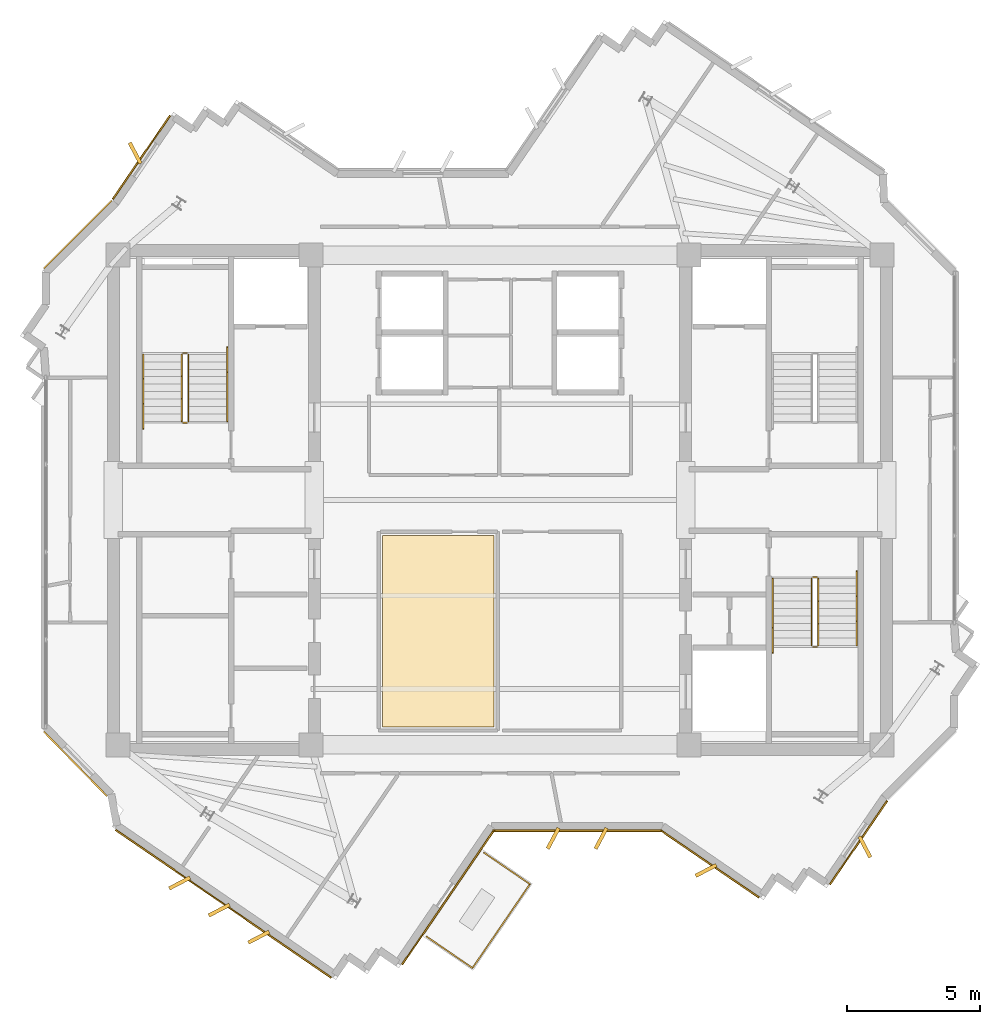
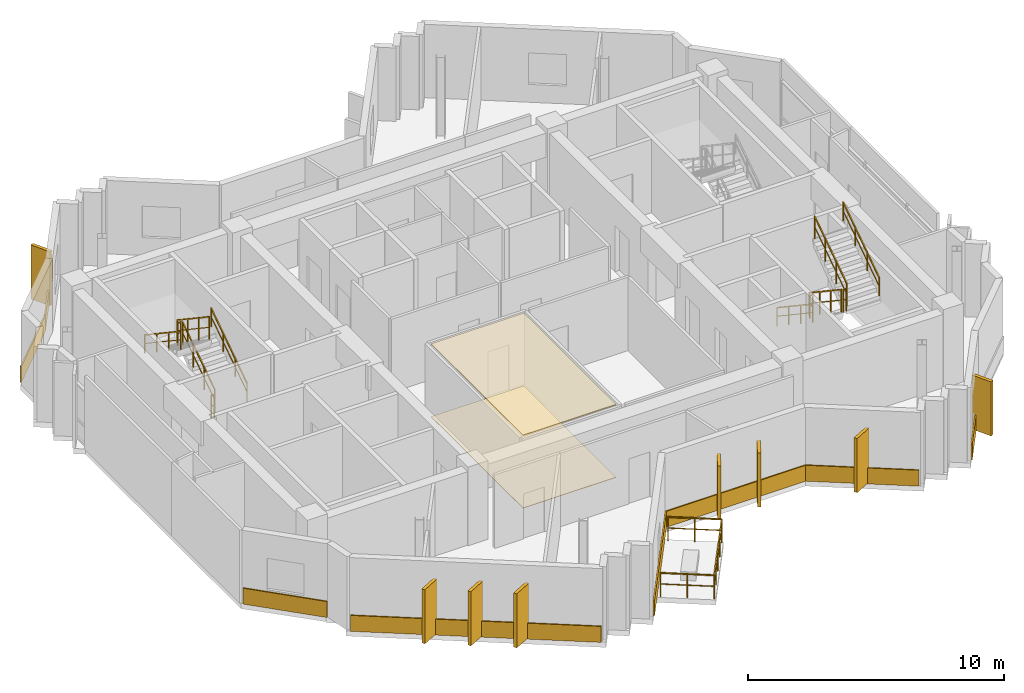
# One storey, part 10 of 11: 18 coverings, 15 railings.
"""IFC4 building model written with IfcOpenShell, lengths in metres."""

import ifcopenshell
import ifcopenshell.guid

model = None  # the IFC model being written
_history = None  # IfcOwnerHistory: only IFC2X3 demands one
_inside = {}  # id of a spatial element -> (the spatial element, [elements in it])
_under = {}  # id of a project, library or spatial element -> (it, [spatial elements below it])
_declared = {}  # id of a project -> (the project, [libraries it declares])
_typed = {}  # id of a type object -> (the type object, [elements of that type])
_made_of = {}  # id of a material, layer set ... -> (it, [elements and type objects made of it])


def new_model(schema):
    """Start an empty IFC model of exactly this schema.

    Asked for "IFC4X3", IfcOpenShell would pick the latest addendum, in which some entities
    have other attributes; the version numbers below select the first issue.
    IFC2X3 requires an IfcOwnerHistory on every rooted entity: one is made here for all.
    """
    global model, _history
    if schema == "IFC4X3":
        model = ifcopenshell.file(schema_version=(4, 3, 0, 0))
    else:
        model = ifcopenshell.file(schema=schema)
    _inside.clear()
    _under.clear()
    _declared.clear()
    _typed.clear()
    _made_of.clear()
    _history = None
    if model.schema == "IFC2X3":
        org = make("IfcOrganization", Name="unknown")
        user = make(
            "IfcPersonAndOrganization",
            ThePerson=make("IfcPerson", FamilyName="unknown"),
            TheOrganization=org,
        )
        app = make(
            "IfcApplication",
            ApplicationDeveloper=org,
            Version="unknown",
            ApplicationFullName="unknown",
            ApplicationIdentifier="unknown",
        )
        _history = make(
            "IfcOwnerHistory",
            OwningUser=user,
            OwningApplication=app,
            ChangeAction="ADDED",
            CreationDate=0,
        )
    return model


def make(cls, **values):
    """One entity of the class cls with the attributes given. An attribute that is None is left unset."""
    return model.create_entity(
        cls, **{name: value for name, value in values.items() if value is not None}
    )


def rooted(cls, **values):
    """An entity with a GlobalId (a new one), such as an element, a storey or a relation."""
    return make(cls, GlobalId=ifcopenshell.guid.new(), OwnerHistory=_history, **values)


def si_unit(unit_type, name, prefix=None):
    """IfcSIUnit, for example si_unit("LENGTHUNIT", "METRE", prefix="MILLI")."""
    return make("IfcSIUnit", UnitType=unit_type, Prefix=prefix, Name=name)


def assignment(units):
    """IfcUnitAssignment: the units of a project."""
    return None if units is None else make("IfcUnitAssignment", Units=units)


def point(xyz):
    """IfcCartesianPoint."""
    return None if xyz is None else make("IfcCartesianPoint", Coordinates=xyz)


def direction(xyz):
    """IfcDirection."""
    return None if xyz is None else make("IfcDirection", DirectionRatios=xyz)


def frame(location, z_axis=None, x_axis=None):
    """IfcAxis2Placement3D, a coordinate frame: its origin and axes. An axis left out is left unset."""
    return make(
        "IfcAxis2Placement3D",
        Location=point(location),
        Axis=direction(z_axis),
        RefDirection=direction(x_axis),
    )


def frame_2d(location, x_axis=None):
    """IfcAxis2Placement2D, a coordinate frame in the plane: its origin and x axis."""
    return make(
        "IfcAxis2Placement2D", Location=point(location), RefDirection=direction(x_axis)
    )


def origin():
    """The frame at (0, 0, 0) with its axes left unset."""
    return frame((0.0, 0.0, 0.0))


def origin_2d():
    """The frame at (0, 0) in the plane with its x axis left unset."""
    return frame_2d((0.0, 0.0))


def place(relative_to, where):
    """IfcLocalPlacement: puts the frame where relative to a parent placement (None: the world)."""
    return make(
        "IfcLocalPlacement", PlacementRelTo=relative_to, RelativePlacement=where
    )


def context(
    kind, dimensions, precision=None, world=None, true_north=None, identifier=None
):
    """IfcGeometricRepresentationContext, for example the 3D "Model" context."""
    return make(
        "IfcGeometricRepresentationContext",
        ContextIdentifier=identifier,
        ContextType=kind,
        CoordinateSpaceDimension=dimensions,
        Precision=precision,
        WorldCoordinateSystem=world,
        TrueNorth=true_north,
    )


def subcontext(parent, identifier, kind, view, scale=None):
    """IfcGeometricRepresentationSubContext, for example "Body" below "Model"."""
    return make(
        "IfcGeometricRepresentationSubContext",
        ContextIdentifier=identifier,
        ContextType=kind,
        ParentContext=parent,
        TargetScale=scale,
        TargetView=view,
    )


def project(units=None, contexts=None):
    """IfcProject with its units and contexts."""
    return rooted(
        "IfcProject",
        Name="project",
        RepresentationContexts=contexts,
        UnitsInContext=assignment(units),
    )


def spatial(cls, under=None, at=None, **own):
    """A site, building, storey or space (cls), placed at a placement, below another one or the project."""
    s = rooted(cls, ObjectPlacement=at, **own)
    if under is not None:
        _under.setdefault(under.id(), (under, []))[1].append(s)
    return s


def polyline(points):
    """IfcPolyline through the points."""
    return make("IfcPolyline", Points=[point(p) for p in points])


def profile(cls, at=None, kind="AREA", **sizes):
    """A parametric profile (cls). Its sizes go by their IFC names, for example OverallWidth=200.0."""
    return make(cls, ProfileType=kind, Position=at, **sizes)


def rectangle(**sizes):
    """IfcRectangleProfileDef."""
    return profile("IfcRectangleProfileDef", **sizes)


def outline(outer, holes=None, kind="AREA"):
    """IfcArbitraryClosedProfileDef: a profile drawn as a closed curve; with holes, ...WithVoids."""
    if holes is None:
        return make("IfcArbitraryClosedProfileDef", ProfileType=kind, OuterCurve=outer)
    return make(
        "IfcArbitraryProfileDefWithVoids",
        ProfileType=kind,
        OuterCurve=outer,
        InnerCurves=holes,
    )


def extrude(swept, where, along, depth):
    """IfcExtrudedAreaSolid: the profile swept, set in the frame where, extruded along a direction by depth."""
    return make(
        "IfcExtrudedAreaSolid",
        SweptArea=swept,
        Position=where,
        ExtrudedDirection=direction(along),
        Depth=depth,
    )


def shape(context_of_items, identifier, shape_type, items):
    """IfcShapeRepresentation: the items that make up one representation, for example the "Body"."""
    return make(
        "IfcShapeRepresentation",
        ContextOfItems=context_of_items,
        RepresentationIdentifier=identifier,
        RepresentationType=shape_type,
        Items=items,
    )


def source(mapping_origin, context_of_items, identifier, shape_type, items):
    """IfcRepresentationMap: a shape defined once, which mapped items show again and again."""
    return make(
        "IfcRepresentationMap",
        MappingOrigin=mapping_origin,
        MappedRepresentation=shape(context_of_items, identifier, shape_type, items),
    )


def transform(
    local_origin,
    x_axis=None,
    y_axis=None,
    z_axis=None,
    scale=None,
    scale2=None,
    scale3=None,
    uniform=True,
):
    """IfcCartesianTransformationOperator3D, or its non-uniform kind. x_axis, y_axis, z_axis: its Axis1, 2, 3."""
    if uniform:
        return make(
            "IfcCartesianTransformationOperator3D",
            Axis1=direction(x_axis),
            Axis2=direction(y_axis),
            LocalOrigin=point(local_origin),
            Scale=scale,
            Axis3=direction(z_axis),
        )
    return make(
        "IfcCartesianTransformationOperator3DnonUniform",
        Axis1=direction(x_axis),
        Axis2=direction(y_axis),
        LocalOrigin=point(local_origin),
        Scale=scale,
        Axis3=direction(z_axis),
        Scale2=scale2,
        Scale3=scale3,
    )


def mapped(mapping_source, mapping_target):
    """IfcMappedItem: shows the shape of a source again, moved by a transform."""
    return make(
        "IfcMappedItem", MappingSource=mapping_source, MappingTarget=mapping_target
    )


def material(Name=None, Category=None):
    """IfcMaterial."""
    return make("IfcMaterial", Name=Name, Category=Category)


def layer(
    of_material, thickness, ventilated=None, Name=None, Category=None, Priority=None
):
    """IfcMaterialLayer: one layer of a wall or slab, of a material (None: an air gap)."""
    return make(
        "IfcMaterialLayer",
        Material=of_material,
        LayerThickness=thickness,
        IsVentilated=ventilated,
        Name=Name,
        Category=Category,
        Priority=Priority,
    )


def layer_set(layers, Name=None):
    """IfcMaterialLayerSet."""
    return make("IfcMaterialLayerSet", MaterialLayers=layers, LayerSetName=Name)


def made_of(thing, what):
    """Note that an element or type object is made of a material, layer set ...; save() writes the relation."""
    if what is not None:
        _made_of.setdefault(what.id(), (what, []))[1].append(thing)
    return thing


def type_object(cls, material=None, **own):
    """A type object (cls), such as IfcWallType, which elements share."""
    return made_of(rooted(cls, **own), material)


def element(
    cls,
    number,
    at=None,
    inside=None,
    cuts=None,
    type_object=None,
    material=None,
    context=None,
    identifier="Body",
    shape_type=None,
    held_by="IfcProductDefinitionShape",
    body=None,
    shapes=None,
    **own,
):
    """One element of the class cls, such as IfcWall. Its Tag is "e" and its number.

    at: its placement. inside: the storey or other place that contains it. cuts: it is an
    opening in that element (IfcRelVoidsElement). A single representation is given by context,
    identifier, shape_type and body (its items); several are given by shapes. held_by: the class
    of the entity that holds the representations. save() writes the other relations.
    """
    e = rooted(cls, Tag="e%d" % number, ObjectPlacement=at, **own)
    if body is not None:
        shapes = [shape(context, identifier, shape_type, body)]
    if shapes is not None:
        e.Representation = make(held_by, Representations=shapes)
    if inside is not None:
        _inside.setdefault(inside.id(), (inside, []))[1].append(e)
    if cuts is not None:
        rooted(
            "IfcRelVoidsElement", RelatingBuildingElement=cuts, RelatedOpeningElement=e
        )
    if type_object is not None:
        _typed.setdefault(type_object.id(), (type_object, []))[1].append(e)
    return made_of(e, material)


def aggregate(whole, parts):
    """IfcRelAggregates: a whole, such as a stair, and the parts it consists of."""
    return rooted("IfcRelAggregates", RelatingObject=whole, RelatedObjects=parts)


def save(model, path):
    """Write the relations noted so far, then the file.

    IfcRelAggregates (storeys below a building ...), IfcRelContainedInSpatialStructure (elements
    in a storey), IfcRelDefinesByType, IfcRelAssociatesMaterial and IfcRelDeclares: one each for
    every whole, place, type object, material and project.
    """
    for whole, parts in _under.values():
        aggregate(whole, parts)
    for where, things in _inside.values():
        rooted(
            "IfcRelContainedInSpatialStructure",
            RelatedElements=things,
            RelatingStructure=where,
        )
    for kind, things in _typed.values():
        rooted("IfcRelDefinesByType", RelatedObjects=things, RelatingType=kind)
    for what, things in _made_of.values():
        rooted("IfcRelAssociatesMaterial", RelatedObjects=things, RelatingMaterial=what)
    for by, libraries in _declared.values():
        rooted("IfcRelDeclares", RelatingContext=by, RelatedDefinitions=libraries)
    model.write(path)


model = new_model("IFC4")

# Units and contexts
model_context = context("Model", 3, precision=1e-05, world=origin(), true_north=direction((0.0, 1.0)))
body_context = subcontext(model_context, "Body", "Model", "MODEL_VIEW")
ifc_project = project(units=[si_unit("LENGTHUNIT", "METRE"), si_unit("AREAUNIT", "SQUARE_METRE"), si_unit("VOLUMEUNIT", "CUBIC_METRE"), si_unit("PLANEANGLEUNIT", "RADIAN"), si_unit("MASSUNIT", "GRAM", prefix="KILO")], contexts=[model_context])

# Site, building, storey
site_placement = place(None, origin())
site = spatial("IfcSite", under=ifc_project, at=site_placement, CompositionType="ELEMENT")
building_placement = place(site_placement, origin())
building = spatial("IfcBuilding", under=site, at=building_placement, Name="Zahravan Cultural Tower", CompositionType="ELEMENT")
storey_placement = place(building_placement, frame((0.0, 0.0, 334.800048828125)))
storey = spatial("IfcBuildingStorey", under=building, at=storey_placement, Name="L81", CompositionType="ELEMENT", Elevation=334.800048828125)

# Coverings
ifc_material_1 = material(Name="Acoustic mineral fibreboard")
ifc_layer_1 = layer(ifc_material_1, 0.0400390625)
ifc_layer_set_1 = layer_set([ifc_layer_1], Name="Acoustic mineral fibreboard")
covering_type_1 = type_object("IfcCoveringType", Name="COV-CEIL-AC20", PredefinedType="CEILING", material=ifc_layer_set_1)
covering_1_placement = place(storey_placement, frame((0.0, 0.0, 3.4599609375)))
element("IfcCovering", 1, at=covering_1_placement, inside=storey, type_object=covering_type_1, Name="L81 Acoustic Suspended Ceiling", PredefinedType="CEILING", context=body_context, shape_type="SweptSolid", body=[
    extrude(outline(polyline([(35.77001953125, 25.669921875), (31.580078125, 25.669921875), (31.580078125, 18.47998046875), (35.77001953125, 18.47998046875), (35.77001953125, 25.669921875)])), origin(), (0.0, 0.0, 1.0), 0.0400390625),
])
ifc_material_2 = material(Name="Terrazzo flooring")
ifc_layer_2 = layer(ifc_material_2, 0.02490234375)
ifc_layer_set_2 = layer_set([ifc_layer_2], Name="Terrazzo flooring")
covering_type_2 = type_object("IfcCoveringType", Name="COV-FLR-TZ25", PredefinedType="FLOORING", material=ifc_layer_set_2)
covering_2_placement = place(storey_placement, origin())
element("IfcCovering", 2, at=covering_2_placement, inside=storey, type_object=covering_type_2, Name="L81 Polished Terrazzo Flooring", PredefinedType="FLOORING", context=body_context, shape_type="SweptSolid", body=[
    extrude(outline(polyline([(35.77001953125, 25.669921875), (31.580078125, 25.669921875), (31.580078125, 18.47998046875), (35.77001953125, 18.47998046875), (35.77001953125, 25.669921875)])), origin(), (0.0, 0.0, 1.0), 0.02490234375),
])

# Railings
ifc_material_3 = material(Name="Steel ASTM A572 Grade 50", Category="steel")
railing_type_1 = type_object("IfcRailingType", Name="RL-BAL-1150", PredefinedType="BALUSTRADE", material=ifc_material_3)
railing_1_placement = place(storey_placement, frame((37.125, 12.571044921875, 0.0)))
element("IfcRailing", 3, at=railing_1_placement, inside=storey, type_object=railing_type_1, Name="L81 Edge Balustrade GRD-TR-L81-SW-01", PredefinedType="BALUSTRADE", context=body_context, shape_type="SweptSolid", body=[
    extrude(rectangle(XDim=0.05, YDim=0.05, at=origin_2d()), frame((0.0, 0.0, 1.125), z_axis=(-0.564981732672, -0.825103412759, 0.0), x_axis=(0.825103412759, -0.564981732672, 0.0)), (0.0, 0.0, 1.0), 3.820068359375),
    extrude(rectangle(XDim=0.032, YDim=0.032, at=origin_2d()), frame((0.0, 0.0, 0.597900390625), z_axis=(-0.564981732672, -0.825103412759, 0.0), x_axis=(0.825103412759, -0.564981732672, 0.0)), (0.0, 0.0, 1.0), 3.820068359375),
    extrude(rectangle(XDim=0.04, YDim=0.04, at=origin_2d()), origin(), (0.0, 0.0, 1.0), 1.14990234375),
    extrude(rectangle(XDim=0.04, YDim=0.04, at=origin_2d()), frame((-0.53955078125, -0.7880859375, 0.0)), (0.0, 0.0, 1.0), 1.14990234375),
    extrude(rectangle(XDim=0.04, YDim=0.04, at=origin_2d()), frame((-1.0791015625, -1.575927734375, 0.0)), (0.0, 0.0, 1.0), 1.14990234375),
    extrude(rectangle(XDim=0.04, YDim=0.04, at=origin_2d()), frame((-1.61865234375, -2.36376953125, 0.0)), (0.0, 0.0, 1.0), 1.14990234375),
    extrude(rectangle(XDim=0.04, YDim=0.04, at=origin_2d()), frame((-2.158203125, -3.15185546875, 0.0)), (0.0, 0.0, 1.0), 1.14990234375),
])
railing_2_placement = place(storey_placement, frame((34.966796875, 9.419189453125, 0.0)))
element("IfcRailing", 4, at=railing_2_placement, inside=storey, type_object=railing_type_1, Name="L81 Edge Balustrade GRD-TR-L81-SW-02", PredefinedType="BALUSTRADE", context=body_context, shape_type="SweptSolid", body=[
    extrude(rectangle(XDim=0.05, YDim=0.05, at=origin_2d()), frame((0.0, 0.0, 1.125), z_axis=(-0.825119027376, 0.564958928296, 0.0), x_axis=(-0.564958928296, -0.825119027376, 0.0)), (0.0, 0.0, 1.0), 2.10009765625),
    extrude(rectangle(XDim=0.032, YDim=0.032, at=origin_2d()), frame((0.0, 0.0, 0.597900390625), z_axis=(-0.825119027376, 0.564958928296, 0.0), x_axis=(-0.564958928296, -0.825119027376, 0.0)), (0.0, 0.0, 1.0), 2.10009765625),
    extrude(rectangle(XDim=0.04, YDim=0.04, at=origin_2d()), origin(), (0.0, 0.0, 1.0), 1.14990234375),
    extrude(rectangle(XDim=0.04, YDim=0.04, at=origin_2d()), frame((-0.866455078125, 0.59326171875, 0.0)), (0.0, 0.0, 1.0), 1.14990234375),
    extrude(rectangle(XDim=0.04, YDim=0.04, at=origin_2d()), frame((-1.73291015625, 1.1865234375, 0.0)), (0.0, 0.0, 1.0), 1.14990234375),
])
railing_3_placement = place(storey_placement, frame((35.39208984375, 13.757568359375, 0.0)))
element("IfcRailing", 5, at=railing_3_placement, inside=storey, type_object=railing_type_1, Name="L81 Edge Balustrade GRD-TR-L81-SW-03", PredefinedType="BALUSTRADE", context=body_context, shape_type="SweptSolid", body=[
    extrude(rectangle(XDim=0.05, YDim=0.05, at=origin_2d()), frame((0.0, 0.0, 1.125), z_axis=(0.825119027376, -0.564958928296, 0.0), x_axis=(0.564958928296, 0.825119027376, 0.0)), (0.0, 0.0, 1.0), 2.10009765625),
    extrude(rectangle(XDim=0.032, YDim=0.032, at=origin_2d()), frame((0.0, 0.0, 0.597900390625), z_axis=(0.825119027376, -0.564958928296, 0.0), x_axis=(0.564958928296, 0.825119027376, 0.0)), (0.0, 0.0, 1.0), 2.10009765625),
    extrude(rectangle(XDim=0.04, YDim=0.04, at=origin_2d()), origin(), (0.0, 0.0, 1.0), 1.14990234375),
    extrude(rectangle(XDim=0.04, YDim=0.04, at=origin_2d()), frame((0.866455078125, -0.59326171875, 0.0)), (0.0, 0.0, 1.0), 1.14990234375),
    extrude(rectangle(XDim=0.04, YDim=0.04, at=origin_2d()), frame((1.73291015625, -1.1865234375, 0.0)), (0.0, 0.0, 1.0), 1.14990234375),
])
railing_type_2 = type_object("IfcRailingType", Name="RL-STAIR-GRD1150", PredefinedType="BALUSTRADE", material=ifc_material_3)
railing_4_placement = place(storey_placement, frame((24.300048828125, 29.949951171875, 0.1875)))
element("IfcRailing", 6, at=railing_4_placement, inside=storey, type_object=railing_type_2, Name="L81 ST-W1 stair guard 1", PredefinedType="BALUSTRADE", context=body_context, shape_type="SweptSolid", body=[
    extrude(rectangle(XDim=0.05, YDim=0.05, at=origin_2d()), frame((0.0, 0.0, 1.0751953125), z_axis=(0.0, 0.830909170722, 0.55640807867), x_axis=(-1.0, 0.0, 0.0)), (0.0, 0.0, 1.0), 3.032958984375),
    extrude(rectangle(XDim=0.032, YDim=0.032, at=origin_2d()), frame((0.0, 0.0, 0.572021484375), z_axis=(0.0, 0.830909170722, 0.55640807867), x_axis=(-1.0, 0.0, 0.0)), (0.0, 0.0, 1.0), 3.032958984375),
    extrude(rectangle(XDim=0.04, YDim=0.04, at=origin_2d()), origin(), (0.0, 0.0, 1.0), 1.10009765625),
    extrude(rectangle(XDim=0.04, YDim=0.04, at=origin_2d()), frame((0.0, 0.840087890625, 0.5625)), (0.0, 0.0, 1.0), 1.10009765625),
    extrude(rectangle(XDim=0.04, YDim=0.04, at=origin_2d()), frame((0.0, 1.679931640625, 1.125)), (0.0, 0.0, 1.0), 1.10009765625),
    extrude(rectangle(XDim=0.04, YDim=0.04, at=origin_2d()), frame((0.0, 2.52001953125, 1.6875)), (0.0, 0.0, 1.0), 1.10009765625),
])
railing_5_placement = place(storey_placement, frame((24.25, 32.52001953125, 1.875)))
element("IfcRailing", 7, at=railing_5_placement, inside=storey, type_object=railing_type_2, Name="L81 ST-W1 stair guard 2", PredefinedType="BALUSTRADE", context=body_context, shape_type="SweptSolid", body=[
    extrude(rectangle(XDim=0.05, YDim=0.05, at=origin_2d()), frame((0.0, 0.0, 1.0751953125), z_axis=(-1.0, 0.0, 0.0), x_axis=(0.0, -1.0, 0.0)), (0.0, 0.0, 1.0), 0.14990234375),
    extrude(rectangle(XDim=0.032, YDim=0.032, at=origin_2d()), frame((0.0, 0.0, 0.572021484375), z_axis=(-1.0, 0.0, 0.0), x_axis=(0.0, -1.0, 0.0)), (0.0, 0.0, 1.0), 0.14990234375),
    extrude(rectangle(XDim=0.04, YDim=0.04, at=origin_2d()), origin(), (0.0, 0.0, 1.0), 1.10009765625),
    extrude(rectangle(XDim=0.04, YDim=0.04, at=origin_2d()), frame((-0.14990234375, 0.0, 0.0)), (0.0, 0.0, 1.0), 1.10009765625),
])
railing_6_placement = place(storey_placement, frame((24.050048828125, 32.469970703125, 2.0625)))
element("IfcRailing", 8, at=railing_6_placement, inside=storey, type_object=railing_type_2, Name="L81 ST-W1 stair guard 3", PredefinedType="BALUSTRADE", context=body_context, shape_type="SweptSolid", body=[
    extrude(rectangle(XDim=0.05, YDim=0.05, at=origin_2d()), frame((0.0, 0.0, 1.0751953125), z_axis=(0.0, -0.830909170722, 0.55640807867), x_axis=(1.0, 0.0, 0.0)), (0.0, 0.0, 1.0), 3.032958984375),
    extrude(rectangle(XDim=0.032, YDim=0.032, at=origin_2d()), frame((0.0, 0.0, 0.572021484375), z_axis=(0.0, -0.830909170722, 0.55640807867), x_axis=(1.0, 0.0, 0.0)), (0.0, 0.0, 1.0), 3.032958984375),
    extrude(rectangle(XDim=0.04, YDim=0.04, at=origin_2d()), origin(), (0.0, 0.0, 1.0), 1.10009765625),
    extrude(rectangle(XDim=0.04, YDim=0.04, at=origin_2d()), frame((0.0, -0.840087890625, 0.5625)), (0.0, 0.0, 1.0), 1.10009765625),
    extrude(rectangle(XDim=0.04, YDim=0.04, at=origin_2d()), frame((0.0, -1.679931640625, 1.125)), (0.0, 0.0, 1.0), 1.10009765625),
    extrude(rectangle(XDim=0.04, YDim=0.04, at=origin_2d()), frame((0.0, -2.52001953125, 1.6875)), (0.0, 0.0, 1.0), 1.10009765625),
])
railing_7_placement = place(storey_placement, frame((24.25, 29.89990234375, 0.0)))
element("IfcRailing", 9, at=railing_7_placement, inside=storey, type_object=railing_type_2, Name="L81 ST-W1 stair guard 4", PredefinedType="BALUSTRADE", context=body_context, shape_type="SweptSolid", body=[
    extrude(rectangle(XDim=0.05, YDim=0.05, at=origin_2d()), frame((0.0, 0.0, 1.0751953125), z_axis=(-1.0, 0.0, 0.0), x_axis=(0.0, -1.0, 0.0)), (0.0, 0.0, 1.0), 0.14990234375),
    extrude(rectangle(XDim=0.032, YDim=0.032, at=origin_2d()), frame((0.0, 0.0, 0.572021484375), z_axis=(-1.0, 0.0, 0.0), x_axis=(0.0, -1.0, 0.0)), (0.0, 0.0, 1.0), 0.14990234375),
    extrude(rectangle(XDim=0.04, YDim=0.04, at=origin_2d()), origin(), (0.0, 0.0, 1.0), 1.10009765625),
    extrude(rectangle(XDim=0.04, YDim=0.04, at=origin_2d()), frame((-0.14990234375, 0.0, 0.0)), (0.0, 0.0, 1.0), 1.10009765625),
])
railing_8_placement = place(storey_placement, frame((47.699951171875, 24.050048828125, 0.1875)))
element("IfcRailing", 10, at=railing_8_placement, inside=storey, type_object=railing_type_2, Name="L81 ST-E2 stair guard 1", PredefinedType="BALUSTRADE", context=body_context, shape_type="SweptSolid", body=[
    extrude(rectangle(XDim=0.05, YDim=0.05, at=origin_2d()), frame((0.0, 0.0, 1.0751953125), z_axis=(0.0, -0.830909170722, 0.55640807867), x_axis=(1.0, 0.0, 0.0)), (0.0, 0.0, 1.0), 3.032958984375),
    extrude(rectangle(XDim=0.032, YDim=0.032, at=origin_2d()), frame((0.0, 0.0, 0.572021484375), z_axis=(0.0, -0.830909170722, 0.55640807867), x_axis=(1.0, 0.0, 0.0)), (0.0, 0.0, 1.0), 3.032958984375),
    extrude(rectangle(XDim=0.04, YDim=0.04, at=origin_2d()), origin(), (0.0, 0.0, 1.0), 1.10009765625),
    extrude(rectangle(XDim=0.04, YDim=0.04, at=origin_2d()), frame((0.0, -0.840087890625, 0.5625)), (0.0, 0.0, 1.0), 1.10009765625),
    extrude(rectangle(XDim=0.04, YDim=0.04, at=origin_2d()), frame((0.0, -1.679931640625, 1.125)), (0.0, 0.0, 1.0), 1.10009765625),
    extrude(rectangle(XDim=0.04, YDim=0.04, at=origin_2d()), frame((0.0, -2.52001953125, 1.6875)), (0.0, 0.0, 1.0), 1.10009765625),
])
railing_9_placement = place(storey_placement, frame((47.75, 21.47998046875, 1.875)))
element("IfcRailing", 11, at=railing_9_placement, inside=storey, type_object=railing_type_2, Name="L81 ST-E2 stair guard 2", PredefinedType="BALUSTRADE", context=body_context, shape_type="SweptSolid", body=[
    extrude(rectangle(XDim=0.05, YDim=0.05, at=origin_2d()), frame((0.0, 0.0, 1.0751953125), z_axis=(1.0, 0.0, 0.0), x_axis=(0.0, 1.0, 0.0)), (0.0, 0.0, 1.0), 0.14990234375),
    extrude(rectangle(XDim=0.032, YDim=0.032, at=origin_2d()), frame((0.0, 0.0, 0.572021484375), z_axis=(1.0, 0.0, 0.0), x_axis=(0.0, 1.0, 0.0)), (0.0, 0.0, 1.0), 0.14990234375),
    extrude(rectangle(XDim=0.04, YDim=0.04, at=origin_2d()), origin(), (0.0, 0.0, 1.0), 1.10009765625),
    extrude(rectangle(XDim=0.04, YDim=0.04, at=origin_2d()), frame((0.14990234375, 0.0, 0.0)), (0.0, 0.0, 1.0), 1.10009765625),
])
railing_10_placement = place(storey_placement, frame((47.949951171875, 21.530029296875, 2.0625)))
element("IfcRailing", 12, at=railing_10_placement, inside=storey, type_object=railing_type_2, Name="L81 ST-E2 stair guard 3", PredefinedType="BALUSTRADE", context=body_context, shape_type="SweptSolid", body=[
    extrude(rectangle(XDim=0.05, YDim=0.05, at=origin_2d()), frame((0.0, 0.0, 1.0751953125), z_axis=(0.0, 0.830909170722, 0.55640807867), x_axis=(-1.0, 0.0, 0.0)), (0.0, 0.0, 1.0), 3.032958984375),
    extrude(rectangle(XDim=0.032, YDim=0.032, at=origin_2d()), frame((0.0, 0.0, 0.572021484375), z_axis=(0.0, 0.830909170722, 0.55640807867), x_axis=(-1.0, 0.0, 0.0)), (0.0, 0.0, 1.0), 3.032958984375),
    extrude(rectangle(XDim=0.04, YDim=0.04, at=origin_2d()), origin(), (0.0, 0.0, 1.0), 1.10009765625),
    extrude(rectangle(XDim=0.04, YDim=0.04, at=origin_2d()), frame((0.0, 0.840087890625, 0.5625)), (0.0, 0.0, 1.0), 1.10009765625),
    extrude(rectangle(XDim=0.04, YDim=0.04, at=origin_2d()), frame((0.0, 1.679931640625, 1.125)), (0.0, 0.0, 1.0), 1.10009765625),
    extrude(rectangle(XDim=0.04, YDim=0.04, at=origin_2d()), frame((0.0, 2.52001953125, 1.6875)), (0.0, 0.0, 1.0), 1.10009765625),
])
railing_11_placement = place(storey_placement, frame((47.75, 24.10009765625, 0.0)))
element("IfcRailing", 13, at=railing_11_placement, inside=storey, type_object=railing_type_2, Name="L81 ST-E2 stair guard 4", PredefinedType="BALUSTRADE", context=body_context, shape_type="SweptSolid", body=[
    extrude(rectangle(XDim=0.05, YDim=0.05, at=origin_2d()), frame((0.0, 0.0, 1.0751953125), z_axis=(1.0, 0.0, 0.0), x_axis=(0.0, 1.0, 0.0)), (0.0, 0.0, 1.0), 0.14990234375),
    extrude(rectangle(XDim=0.032, YDim=0.032, at=origin_2d()), frame((0.0, 0.0, 0.572021484375), z_axis=(1.0, 0.0, 0.0), x_axis=(0.0, 1.0, 0.0)), (0.0, 0.0, 1.0), 0.14990234375),
    extrude(rectangle(XDim=0.04, YDim=0.04, at=origin_2d()), origin(), (0.0, 0.0, 1.0), 1.10009765625),
    extrude(rectangle(XDim=0.04, YDim=0.04, at=origin_2d()), frame((0.14990234375, 0.0, 0.0)), (0.0, 0.0, 1.0), 1.10009765625),
])
railing_type_3 = type_object("IfcRailingType", Name="RL-STAIR-HR900", PredefinedType="HANDRAIL", material=ifc_material_3)
railing_12_placement = place(storey_placement, frame((25.75, 29.949951171875, 0.1875)))
element("IfcRailing", 14, at=railing_12_placement, inside=storey, type_object=railing_type_3, Name="L81 ST-W1 stair handrail 1", PredefinedType="HANDRAIL", context=body_context, shape_type="SweptSolid", body=[
    extrude(rectangle(XDim=0.05, YDim=0.05, at=origin_2d()), frame((0.0, 0.0, 0.875), z_axis=(0.0, 0.830911662861, 0.55640435703), x_axis=(-1.0, 0.0, 0.0)), (0.0, 0.0, 1.0), 3.369873046875),
    extrude(rectangle(XDim=0.032, YDim=0.032, at=origin_2d()), frame((0.0, 0.0, 0.468017578125), z_axis=(0.0, 0.830911662861, 0.55640435703), x_axis=(-1.0, 0.0, 0.0)), (0.0, 0.0, 1.0), 3.369873046875),
    extrude(rectangle(XDim=0.04, YDim=0.04, at=origin_2d()), origin(), (0.0, 0.0, 1.0), 0.89990234375),
    extrude(rectangle(XDim=0.04, YDim=0.04, at=origin_2d()), frame((0.0, 0.933349609375, 0.625)), (0.0, 0.0, 1.0), 0.89990234375),
    extrude(rectangle(XDim=0.04, YDim=0.04, at=origin_2d()), frame((0.0, 1.86669921875, 1.25)), (0.0, 0.0, 1.0), 0.89990234375),
    extrude(rectangle(XDim=0.04, YDim=0.04, at=origin_2d()), frame((0.0, 2.800048828125, 1.875)), (0.0, 0.0, 1.0), 0.89990234375),
])
for number, where, name in (
    (15, (22.60009765625, 32.469970703125, 2.0625), "L81 ST-W1 stair handrail 2"),
    (16, (46.25, 24.050048828125, 0.1875), "L81 ST-E2 stair handrail 1"),
):
    element("IfcRailing", number, at=place(storey_placement, frame(where)), inside=storey, type_object=railing_type_3, Name=name, PredefinedType="HANDRAIL", context=body_context, shape_type="SweptSolid", body=[
        extrude(rectangle(XDim=0.05, YDim=0.05, at=origin_2d()), frame((0.0, 0.0, 0.875), z_axis=(0.0, -0.830911662861, 0.55640435703), x_axis=(1.0, 0.0, 0.0)), (0.0, 0.0, 1.0), 3.369873046875),
        extrude(rectangle(XDim=0.032, YDim=0.032, at=origin_2d()), frame((0.0, 0.0, 0.468017578125), z_axis=(0.0, -0.830911662861, 0.55640435703), x_axis=(1.0, 0.0, 0.0)), (0.0, 0.0, 1.0), 3.369873046875),
        extrude(rectangle(XDim=0.04, YDim=0.04, at=origin_2d()), origin(), (0.0, 0.0, 1.0), 0.89990234375),
        extrude(rectangle(XDim=0.04, YDim=0.04, at=origin_2d()), frame((0.0, -0.933349609375, 0.625)), (0.0, 0.0, 1.0), 0.89990234375),
        extrude(rectangle(XDim=0.04, YDim=0.04, at=origin_2d()), frame((0.0, -1.86669921875, 1.25)), (0.0, 0.0, 1.0), 0.89990234375),
        extrude(rectangle(XDim=0.04, YDim=0.04, at=origin_2d()), frame((0.0, -2.800048828125, 1.875)), (0.0, 0.0, 1.0), 0.89990234375),
    ])
railing_13_placement = place(storey_placement, frame((49.39990234375, 21.530029296875, 2.0625)))
element("IfcRailing", 17, at=railing_13_placement, inside=storey, type_object=railing_type_3, Name="L81 ST-E2 stair handrail 2", PredefinedType="HANDRAIL", context=body_context, shape_type="SweptSolid", body=[
    extrude(rectangle(XDim=0.05, YDim=0.05, at=origin_2d()), frame((0.0, 0.0, 0.875), z_axis=(0.0, 0.830911662861, 0.55640435703), x_axis=(-1.0, 0.0, 0.0)), (0.0, 0.0, 1.0), 3.369873046875),
    extrude(rectangle(XDim=0.032, YDim=0.032, at=origin_2d()), frame((0.0, 0.0, 0.468017578125), z_axis=(0.0, 0.830911662861, 0.55640435703), x_axis=(-1.0, 0.0, 0.0)), (0.0, 0.0, 1.0), 3.369873046875),
    extrude(rectangle(XDim=0.04, YDim=0.04, at=origin_2d()), origin(), (0.0, 0.0, 1.0), 0.89990234375),
    extrude(rectangle(XDim=0.04, YDim=0.04, at=origin_2d()), frame((0.0, 0.933349609375, 0.625)), (0.0, 0.0, 1.0), 0.89990234375),
    extrude(rectangle(XDim=0.04, YDim=0.04, at=origin_2d()), frame((0.0, 1.86669921875, 1.25)), (0.0, 0.0, 1.0), 0.89990234375),
    extrude(rectangle(XDim=0.04, YDim=0.04, at=origin_2d()), frame((0.0, 2.800048828125, 1.875)), (0.0, 0.0, 1.0), 0.89990234375),
])

# Coverings
ifc_material_4 = material(Name="Terracotta ceramic cladding", Category="masonry")
ifc_layer_3 = layer(ifc_material_4, 0.06005859375)
ifc_layer_set_3 = layer_set([ifc_layer_3], Name="Terracotta ceramic cladding")
covering_type_3 = type_object("IfcCoveringType", Name="COV-CLAD-TC60", PredefinedType="CLADDING", material=ifc_layer_set_3)
shared_shape_1 = source(origin(), body_context, "Body", "SweptSolid", [
    extrude(rectangle(XDim=9.820068359375, YDim=0.06005859375, at=origin_2d()), origin(), (0.0, 0.0, 1.0), 0.760009765625),
])
covering_3_placement = place(storey_placement, frame((25.613037109375, 11.830322265625, 0.02001953125), z_axis=(0.0, 0.0, 1.0), x_axis=(-0.825123358687, 0.564952602392, 0.0)))
element("IfcCovering", 18, at=covering_3_placement, inside=storey, type_object=covering_type_3, Name="L81 Terracotta Spandrel Cladding 39", PredefinedType="CLADDING", context=body_context, shape_type="MappedRepresentation", body=[
    mapped(shared_shape_1, transform((0.0, 0.0, 0.0), x_axis=(1.0, 0.0, 0.0), y_axis=(0.0, 1.0, 0.0), z_axis=(0.0, 0.0, 1.0), scale=1.0)),
])
shared_shape_2 = source(origin(), body_context, "Body", "SweptSolid", [
    extrude(rectangle(XDim=0.8798828125, YDim=0.139892578125, at=origin_2d()), origin(), (0.0, 0.0, 1.0), 2.580078125),
])
for number, where, z_axis, x_axis, name in (
    (19, (22.29443359375, 40.02978515625, 0.0498046875), (0.0, 0.0, 1.0), (-0.46331150222, 0.886195493055, 0.0), "L81 Herringbone Terracotta Fin 01"),
    (20, (49.70556640625, 13.97021484375, 0.0498046875), (0.0, 0.0, 1.0), (0.46331150222, -0.886195493055, 0.0), "L81 Herringbone Terracotta Fin 10"),
    (21, (43.73828125, 13.08447265625, 0.0498046875), (0.0, 0.0, 1.0), (-0.886203579231, -0.46329603512, 0.0), "L81 Herringbone Terracotta Fin 11"),
    (22, (39.797119140625, 14.2900390625, 0.0498046875), (0.0, 0.0, 1.0), (-0.469471562786, -0.882947592859, 0.0), "L81 Herringbone Terracotta Fin 12"),
    (23, (37.9970703125, 14.2900390625, 0.0498046875), (0.0, 0.0, 1.0), (-0.469471562786, -0.882947592859, 0.0), "L81 Herringbone Terracotta Fin 13"),
    (24, (26.937255859375, 10.578125, 0.0498046875), (0.0, 0.0, 1.0), (-0.886195493055, -0.46331150222, 0.0), "L81 Herringbone Terracotta Fin 14"),
    (25, (25.4521484375, 11.59521484375, 0.0498046875), (0.0, 0.0, 1.0), (-0.886195493055, -0.46331150222, 0.0), "L81 Herringbone Terracotta Fin 15"),
    (26, (23.966796875, 12.612060546875, 0.0498046875), (0.0, 0.0, 1.0), (-0.886195493055, -0.46331150222, 0.0), "L81 Herringbone Terracotta Fin 16"),
):
    element("IfcCovering", number, at=place(storey_placement, frame(where, z_axis=z_axis, x_axis=x_axis)), inside=storey, type_object=covering_type_3, Name=name, PredefinedType="CLADDING", context=body_context, shape_type="MappedRepresentation", body=[
        mapped(shared_shape_2, transform((0.0, 0.0, 0.0), x_axis=(1.0, 0.0, 0.0), y_axis=(0.0, 1.0, 0.0), z_axis=(0.0, 0.0, 1.0), scale=1.0)),
    ])
shared_shape_3 = source(origin(), body_context, "Body", "SweptSolid", [
    extrude(rectangle(XDim=3.40771484375, YDim=0.06005859375, at=origin_2d()), origin(), (0.0, 0.0, 1.0), 0.760009765625),
])
covering_4_placement = place(storey_placement, frame((20.04833984375, 17.0888671875, 0.02001953125), z_axis=(0.0, 0.0, 1.0), x_axis=(-0.699189330443, 0.714936556762, 0.0)))
element("IfcCovering", 27, at=covering_4_placement, inside=storey, type_object=covering_type_3, Name="L81 Terracotta Spandrel Cladding 01", PredefinedType="CLADDING", context=body_context, shape_type="MappedRepresentation", body=[
    mapped(shared_shape_3, transform((0.0, 0.0, 0.0), x_axis=(1.0, 0.0, 0.0), y_axis=(0.0, 1.0, 0.0), z_axis=(0.0, 0.0, 1.0), scale=1.0)),
])
shared_shape_4 = source(origin(), body_context, "Body", "SweptSolid", [
    extrude(rectangle(XDim=3.609619140625, YDim=0.06005859375, at=origin_2d()), origin(), (0.0, 0.0, 1.0), 0.760009765625),
])
covering_5_placement = place(storey_placement, frame((20.134765625, 36.97021484375, 0.02001953125), z_axis=(0.0, 0.0, 1.0), x_axis=(0.707106781187, 0.707106781187, 0.0)))
element("IfcCovering", 28, at=covering_5_placement, inside=storey, type_object=covering_type_3, Name="L81 Terracotta Spandrel Cladding 06", PredefinedType="CLADDING", context=body_context, shape_type="MappedRepresentation", body=[
    mapped(shared_shape_4, transform((0.0, 0.0, 0.0), x_axis=(1.0, 0.0, 0.0), y_axis=(0.0, 1.0, 0.0), z_axis=(0.0, 0.0, 1.0), scale=1.0)),
])
shared_shape_5 = source(origin(), body_context, "Body", "SweptSolid", [
    extrude(rectangle(XDim=3.803955078125, YDim=0.06005859375, at=origin_2d()), origin(), (0.0, 0.0, 1.0), 0.760009765625),
])
for number, where, z_axis, x_axis, name in (
    (29, (22.52978515625, 39.868896484375, 0.02001953125), (0.0, 0.0, 1.0), (0.564952602392, 0.825123358687, 0.0), "L81 Terracotta Spandrel Cladding 07"),
    (30, (49.47021484375, 14.131103515625, 0.02001953125), (0.0, 0.0, 1.0), (-0.564952602392, -0.825123358687, 0.0), "L81 Terracotta Spandrel Cladding 27"),
):
    element("IfcCovering", number, at=place(storey_placement, frame(where, z_axis=z_axis, x_axis=x_axis)), inside=storey, type_object=covering_type_3, Name=name, PredefinedType="CLADDING", context=body_context, shape_type="MappedRepresentation", body=[
        mapped(shared_shape_5, transform((0.0, 0.0, 0.0), x_axis=(1.0, 0.0, 0.0), y_axis=(0.0, 1.0, 0.0), z_axis=(0.0, 0.0, 1.0), scale=1.0)),
    ])
shared_shape_6 = source(origin(), body_context, "Body", "SweptSolid", [
    extrude(rectangle(XDim=4.4462890625, YDim=0.06005859375, at=origin_2d()), origin(), (0.0, 0.0, 1.0), 0.760009765625),
])
covering_6_placement = place(storey_placement, frame((43.8994140625, 13.319580078125, 0.02001953125), z_axis=(0.0, 0.0, 1.0), x_axis=(-0.825113498278, 0.564967003425, 0.0)))
element("IfcCovering", 31, at=covering_6_placement, inside=storey, type_object=covering_type_3, Name="L81 Terracotta Spandrel Cladding 32", PredefinedType="CLADDING", context=body_context, shape_type="MappedRepresentation", body=[
    mapped(shared_shape_6, transform((0.0, 0.0, 0.0), x_axis=(1.0, 0.0, 0.0), y_axis=(0.0, 1.0, 0.0), z_axis=(0.0, 0.0, 1.0), scale=1.0)),
])
shared_shape_7 = source(origin(), body_context, "Body", "SweptSolid", [
    extrude(rectangle(XDim=6.340087890625, YDim=0.06005859375, at=origin_2d()), origin(), (0.0, 0.0, 1.0), 0.760009765625),
])
covering_7_placement = place(storey_placement, frame((38.89697265625, 14.574951171875, 0.02001953125), z_axis=(0.0, 0.0, 1.0), x_axis=(-1.0, 0.0, 0.0)))
element("IfcCovering", 32, at=covering_7_placement, inside=storey, type_object=covering_type_3, Name="L81 Terracotta Spandrel Cladding 33", PredefinedType="CLADDING", context=body_context, shape_type="MappedRepresentation", body=[
    mapped(shared_shape_7, transform((0.0, 0.0, 0.0), x_axis=(1.0, 0.0, 0.0), y_axis=(0.0, 1.0, 0.0), z_axis=(0.0, 0.0, 1.0), scale=1.0)),
])
shared_shape_8 = source(origin(), body_context, "Body", "SweptSolid", [
    extrude(rectangle(XDim=6.12158203125, YDim=0.06005859375, at=origin_2d()), origin(), (0.0, 0.0, 1.0), 0.760009765625),
])
covering_8_placement = place(storey_placement, frame((34.0556640625, 12.080078125, 0.02001953125), z_axis=(0.0, 0.0, 1.0), x_axis=(-0.564967003425, -0.825113498278, 0.0)))
element("IfcCovering", 33, at=covering_8_placement, inside=storey, type_object=covering_type_3, Name="L81 Terracotta Spandrel Cladding 34", PredefinedType="CLADDING", context=body_context, shape_type="MappedRepresentation", body=[
    mapped(shared_shape_8, transform((0.0, 0.0, 0.0), x_axis=(1.0, 0.0, 0.0), y_axis=(0.0, 1.0, 0.0), z_axis=(0.0, 0.0, 1.0), scale=1.0)),
])

save(model, "model.ifc")
